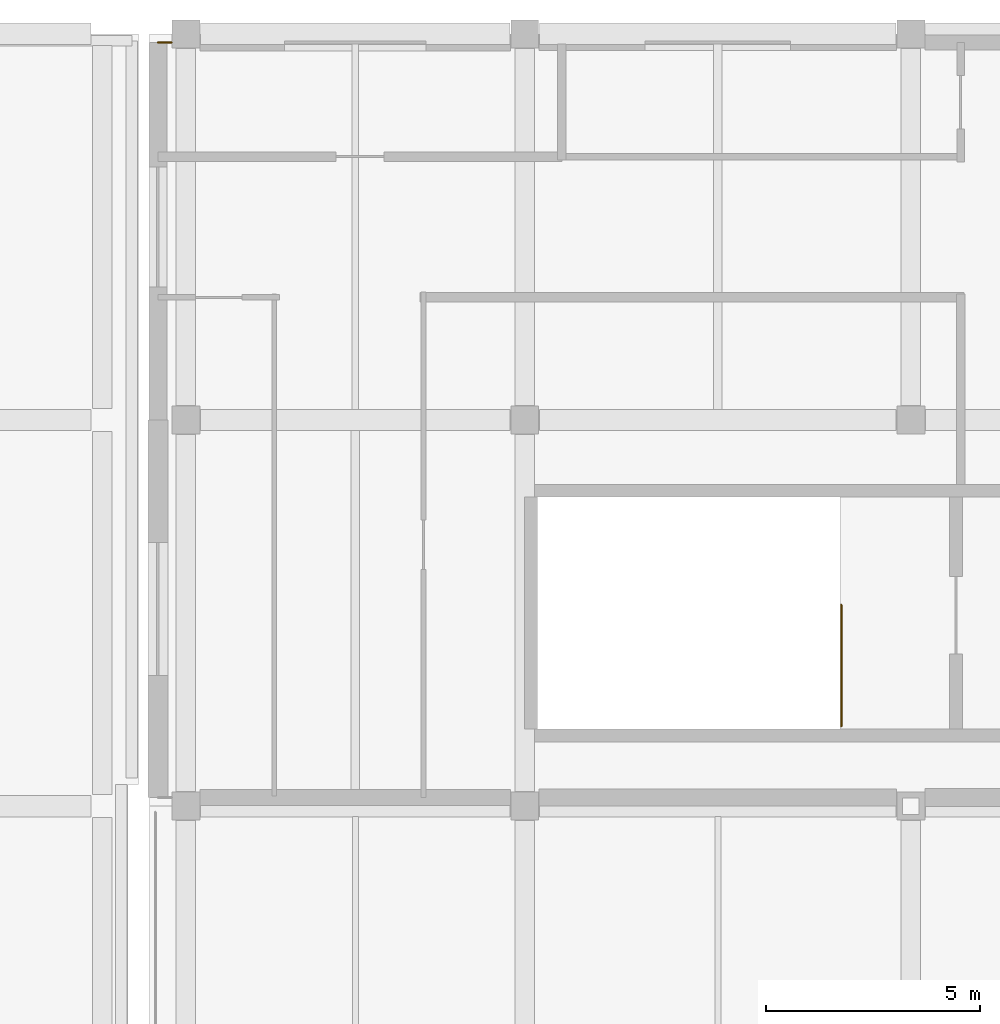
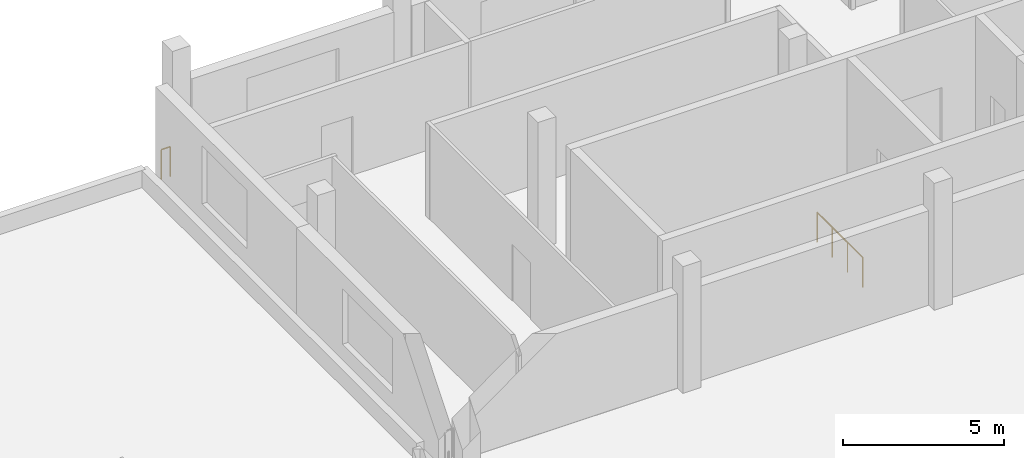
# One storey, part 80 of 82: 2 railings.
"""IFC4 building model written with IfcOpenShell, lengths in metres."""

from ifc_helpers import new_model, si_unit, direction, frame, origin, origin_2d, place, context, subcontext, project, spatial, circle, extrude, material, type_object, element, save


model = new_model("IFC4")

# Units and contexts
model_context = context("Model", 3, precision=1e-05, world=origin(), true_north=direction((0.0, 1.0)))
body_context = subcontext(model_context, "Body", "Model", "MODEL_VIEW")
ifc_project = project(units=[si_unit("LENGTHUNIT", "METRE"), si_unit("AREAUNIT", "SQUARE_METRE"), si_unit("VOLUMEUNIT", "CUBIC_METRE"), si_unit("PLANEANGLEUNIT", "RADIAN"), si_unit("MASSUNIT", "GRAM", prefix="KILO"), si_unit("THERMODYNAMICTEMPERATUREUNIT", "KELVIN"), si_unit("POWERUNIT", "WATT")], contexts=[model_context])

# Site, building, storey
site_placement = place(None, origin())
site = spatial("IfcSite", under=ifc_project, at=site_placement, CompositionType="ELEMENT")
building_placement = place(site_placement, origin())
building = spatial("IfcBuilding", under=site, at=building_placement, Name="Sindhuravela Promenade Stadium", CompositionType="ELEMENT")
storey_placement = place(building_placement, frame((0.0, 0.0, 14.39990234375)))
storey = spatial("IfcBuildingStorey", under=building, at=storey_placement, Name="L03", CompositionType="ELEMENT", Elevation=14.39990234375)

# Railings
ifc_material = material(Name="Architectural wrought steel E350", Category="steel")
railing_type = type_object("IfcRailingType", Name="RL-GRD-1150", PredefinedType="GUARDRAIL", material=ifc_material)
railing_1_placement = place(storey_placement, frame((54.449951171875, 152.800048828125, 0.0)))
element("IfcRailing", 1, at=railing_1_placement, inside=storey, type_object=railing_type, Name="Perimeter edge return guard NORTH L03", PredefinedType="GUARDRAIL", context=body_context, shape_type="SweptSolid", body=[
    extrude(circle(Radius=0.02392578125, at=origin_2d()), frame((0.0, 0.0, 1.1259765625), z_axis=(1.0, 0.0, 0.0), x_axis=(0.0, 1.0, 0.0)), (0.0, 0.0, 1.0), 0.320068359375),
    extrude(circle(Radius=0.02099609375, at=origin_2d()), origin(), (0.0, 0.0, 1.0), 1.101806640625),
    extrude(circle(Radius=0.02099609375, at=origin_2d()), frame((0.320068359375, 0.0, 0.0)), (0.0, 0.0, 1.0), 1.101806640625),
])
railing_2_placement = place(storey_placement, frame((70.3798828125, 136.860107421875, 0.0)))
element("IfcRailing", 2, at=railing_2_placement, inside=storey, type_object=railing_type, Name="Stair ST09 top landing well guard (L03)", PredefinedType="GUARDRAIL", context=body_context, shape_type="SweptSolid", body=[
    extrude(circle(Radius=0.02392578125, at=origin_2d()), frame((0.0, 0.0, 1.1259765625), z_axis=(0.0, 1.0, 0.0), x_axis=(-1.0, 0.0, 0.0)), (0.0, 0.0, 1.0), 2.829833984375),
    extrude(circle(Radius=0.02099609375, at=origin_2d()), origin(), (0.0, 0.0, 1.0), 1.101806640625),
    extrude(circle(Radius=0.02099609375, at=origin_2d()), frame((0.0, 0.943359375, 0.0)), (0.0, 0.0, 1.0), 1.101806640625),
    extrude(circle(Radius=0.02099609375, at=origin_2d()), frame((0.0, 1.886474609375, 0.0)), (0.0, 0.0, 1.0), 1.101806640625),
    extrude(circle(Radius=0.02099609375, at=origin_2d()), frame((0.0, 2.829833984375, 0.0)), (0.0, 0.0, 1.0), 1.101806640625),
])

save(model, "model.ifc")
